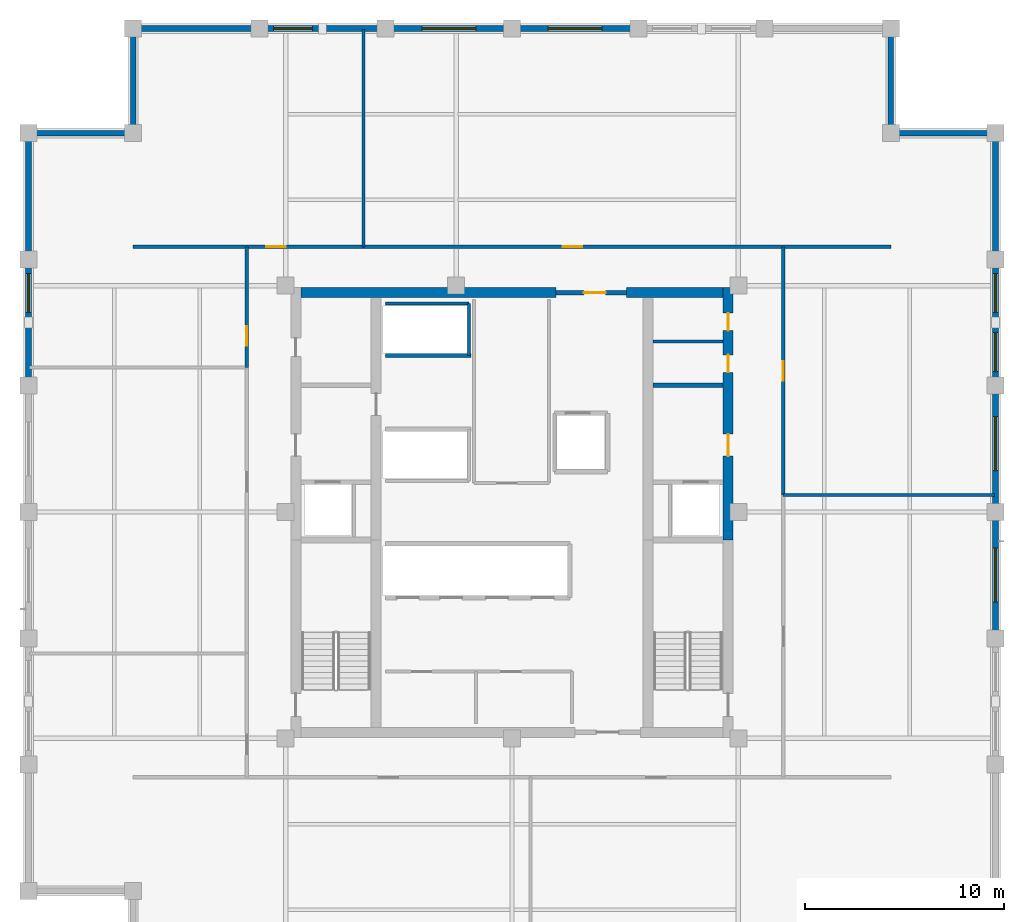
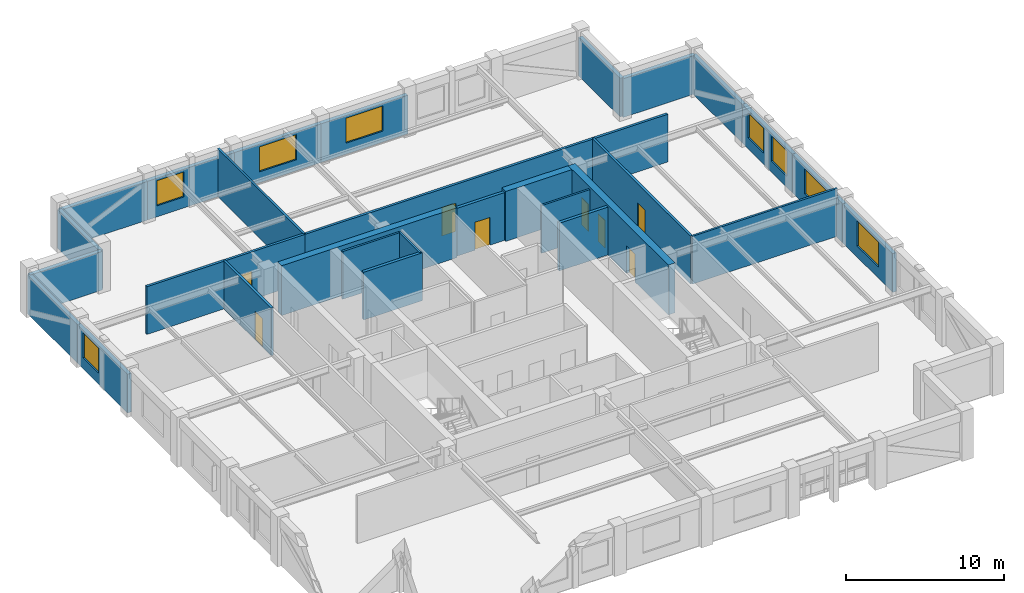
# One storey, part 11 of 13: 29 walls, 8 doors, 8 windows, 16 openings.
"""IFC4 building model written with IfcOpenShell, lengths in metres."""

from ifc_helpers import new_model, si_unit, direction, frame, frame_2d, origin, place, context, subcontext, project, spatial, rectangle, extrude, material, layer, layer_set, type_object, element, fill, save


model = new_model("IFC4")

# Units and contexts
model_context = context("Model", 3, precision=1e-05, world=origin(), true_north=direction((0.0, 1.0)))
body_context = subcontext(model_context, "Body", "Model", "MODEL_VIEW")
ifc_project = project(units=[si_unit("LENGTHUNIT", "METRE"), si_unit("AREAUNIT", "SQUARE_METRE"), si_unit("VOLUMEUNIT", "CUBIC_METRE"), si_unit("PLANEANGLEUNIT", "RADIAN"), si_unit("MASSUNIT", "GRAM", prefix="KILO")], contexts=[model_context])

# Site, building, storey
site_placement = place(None, origin())
site = spatial("IfcSite", under=ifc_project, at=site_placement, CompositionType="ELEMENT")
building_placement = place(site_placement, origin())
building = spatial("IfcBuilding", under=site, at=building_placement, Name="Nhamokura Convention Tower", CompositionType="ELEMENT")
storey_placement = place(building_placement, frame((0.0, 0.0, 213.85009765625)))
storey = spatial("IfcBuildingStorey", under=building, at=storey_placement, Name="L52", CompositionType="ELEMENT", Elevation=213.85009765625)

# Walls
ifc_material_1 = material(Name="Moisture-resistant tile-backer partition", Category="masonry")
ifc_layer_1 = layer(ifc_material_1, 0.139892578125)
ifc_layer_set_1 = layer_set([ifc_layer_1], Name="BathroomWetWall_140")
wall_type_1 = type_object("IfcWallType", Name="BathroomWetWall_140", PredefinedType="STANDARD", material=ifc_layer_set_1)
wall_1_placement = place(storey_placement, frame((39.06005859375, 40.550048828125, 0.0), z_axis=(0.0, 0.0, 1.0), x_axis=(1.0, 0.0, 0.0)))
element("IfcWall", 1, at=wall_1_placement, inside=storey, type_object=wall_type_1, Name="L52 Wall INT-L52-CWNE", PredefinedType="STANDARD", context=body_context, shape_type="SweptSolid", body=[
    extrude(rectangle(XDim=3.530029296875, YDim=0.139892578125, at=frame_2d((1.76513671875, 0.0))), origin(), (0.0, 0.0, 1.0), 3.684814453125),
])
ifc_material_2 = material(Name="Bronze-pigmented precast concrete C45/55", Category="concrete")
ifc_layer_2 = layer(ifc_material_2, 0.280029296875)
ifc_layer_set_2 = layer_set([ifc_layer_2], Name="BronzePrecastSpandrel_280")
wall_type_2 = type_object("IfcWallType", Name="BronzePrecastSpandrel_280", PredefinedType="USERDEFINED", material=ifc_layer_set_2)
wall_2_placement = place(storey_placement, frame((13.0, 56.25, 0.0), z_axis=(0.0, 0.0, 1.0), x_axis=(1.0, 0.0, 0.0)))
element("IfcWall", 2, at=wall_2_placement, inside=storey, type_object=wall_type_2, Name="L52 Braced-Bay Precast Wall NORTH 0", ObjectType="SPANDREL_WALL", PredefinedType="USERDEFINED", context=body_context, shape_type="SweptSolid", body=[
    extrude(rectangle(XDim=6.333251953125, YDim=0.280029296875, at=frame_2d((3.16650390625, 0.0))), origin(), (0.0, 0.0, 1.0), 2.98486328125),
])

# Wall, opening, window
wall_3_placement = place(storey_placement, frame((19.333251953125, 56.25, 0.0), z_axis=(0.0, 0.0, 1.0), x_axis=(1.0, 0.0, 0.0)))
wall_3 = element("IfcWall", 3, at=wall_3_placement, inside=storey, type_object=wall_type_2, Name="L52 Masonry-Frame Wall NORTH 1", ObjectType="SPANDREL_WALL", PredefinedType="USERDEFINED", context=body_context, shape_type="SweptSolid", body=[
    extrude(rectangle(XDim=6.33349609375, YDim=0.280029296875, at=frame_2d((3.166748046875, 0.0))), origin(), (0.0, 0.0, 1.0), 2.98486328125),
])
opening_1_placement = place(wall_3_placement, frame((0.708251953125, 0.0, 0.85009765625)))
opening_1 = element("IfcOpeningElement", 4, at=opening_1_placement, cuts=wall_3, Name="Opening W-08", PredefinedType="OPENING", context=body_context, shape_type="SweptSolid", body=[
    extrude(rectangle(XDim=1.949951171875, YDim=1.93505859375, at=frame_2d((0.97509765625, 0.967529296875))), frame((0.0, 0.14990234375, 0.0), z_axis=(0.0, -1.0, 0.0), x_axis=(1.0, 0.0, 0.0)), (0.0, 0.0, 1.0), 0.300048828125),
])
ifc_material_3 = material(Name="Solar-control bronze low-E double glass", Category="glass")
window_type_1 = type_object("IfcWindowType", Name="OfficeModuleWindow_Z3_1950", PartitioningType="SINGLE_PANEL", PredefinedType="WINDOW", material=ifc_material_3)
window_1_placement = place(opening_1_placement, origin())
window_1 = element("IfcWindow", 5, at=window_1_placement, inside=storey, type_object=window_type_1, Name="L52 Facade Window NORTH 1-1", OverallHeight=1.93505859375, OverallWidth=1.949951171875, PartitioningType="SINGLE_PANEL", PredefinedType="WINDOW", context=body_context, shape_type="SweptSolid", body=[
    extrude(rectangle(XDim=1.949951171875, YDim=1.93505859375, at=frame_2d((0.97509765625, 0.967529296875))), frame((0.0, 0.030029296875, 0.0), z_axis=(0.0, -1.0, 0.0), x_axis=(1.0, 0.0, 0.0)), (0.0, 0.0, 1.0), 0.06005859375),
])
fill(opening_1, window_1)

wall_4_placement = place(storey_placement, frame((25.666748046875, 56.25, 0.0), z_axis=(0.0, 0.0, 1.0), x_axis=(1.0, 0.0, 0.0)))
wall_4 = element("IfcWall", 6, at=wall_4_placement, inside=storey, type_object=wall_type_2, Name="L52 Masonry-Frame Wall NORTH 2", ObjectType="SPANDREL_WALL", PredefinedType="USERDEFINED", context=body_context, shape_type="SweptSolid", body=[
    extrude(rectangle(XDim=6.333251953125, YDim=0.280029296875, at=frame_2d((3.16650390625, 0.0))), origin(), (0.0, 0.0, 1.0), 2.98486328125),
])
opening_2_placement = place(wall_4_placement, frame((1.816650390625, 0.0, 0.85009765625)))
opening_2 = element("IfcOpeningElement", 7, at=opening_2_placement, cuts=wall_4, Name="Opening W-07", PredefinedType="OPENING", context=body_context, shape_type="SweptSolid", body=[
    extrude(rectangle(XDim=2.699951171875, YDim=1.93505859375, at=frame_2d((1.35009765625, 0.967529296875))), frame((0.0, 0.14990234375, 0.0), z_axis=(0.0, -1.0, 0.0), x_axis=(1.0, 0.0, 0.0)), (0.0, 0.0, 1.0), 0.300048828125),
])
ifc_material_4 = material(Name="Solar-control bronze low-E double glass", Category="glass")
window_type_2 = type_object("IfcWindowType", Name="OfficeModuleWindow_Z3_2700", PartitioningType="DOUBLE_PANEL_VERTICAL", PredefinedType="WINDOW", material=ifc_material_4)
window_2_placement = place(opening_2_placement, origin())
window_2 = element("IfcWindow", 8, at=window_2_placement, inside=storey, type_object=window_type_2, Name="L52 Facade Window NORTH 2", OverallHeight=1.93505859375, OverallWidth=2.699951171875, PartitioningType="SINGLE_PANEL", PredefinedType="WINDOW", context=body_context, shape_type="SweptSolid", body=[
    extrude(rectangle(XDim=2.699951171875, YDim=1.93505859375, at=frame_2d((1.35009765625, 0.967529296875))), frame((0.0, 0.030029296875, 0.0), z_axis=(0.0, -1.0, 0.0), x_axis=(1.0, 0.0, 0.0)), (0.0, 0.0, 1.0), 0.06005859375),
])
fill(opening_2, window_2)

wall_5_placement = place(storey_placement, frame((32.0, 56.25, 0.0), z_axis=(0.0, 0.0, 1.0), x_axis=(1.0, 0.0, 0.0)))
wall_5 = element("IfcWall", 9, at=wall_5_placement, inside=storey, type_object=wall_type_2, Name="L52 Masonry-Frame Wall NORTH 3", ObjectType="SPANDREL_WALL", PredefinedType="USERDEFINED", context=body_context, shape_type="SweptSolid", body=[
    extrude(rectangle(XDim=6.333251953125, YDim=0.280029296875, at=frame_2d((3.16650390625, 0.0))), origin(), (0.0, 0.0, 1.0), 2.98486328125),
])
opening_3_placement = place(wall_5_placement, frame((1.816650390625, 0.0, 0.85009765625)))
opening_3 = element("IfcOpeningElement", 10, at=opening_3_placement, cuts=wall_5, Name="Opening W-07", PredefinedType="OPENING", context=body_context, shape_type="SweptSolid", body=[
    extrude(rectangle(XDim=2.699951171875, YDim=1.93505859375, at=frame_2d((1.35009765625, 0.967529296875))), frame((0.0, 0.14990234375, 0.0), z_axis=(0.0, -1.0, 0.0), x_axis=(1.0, 0.0, 0.0)), (0.0, 0.0, 1.0), 0.300048828125),
])
window_3_placement = place(opening_3_placement, origin())
window_3 = element("IfcWindow", 11, at=window_3_placement, inside=storey, type_object=window_type_2, Name="L52 Facade Window NORTH 3", OverallHeight=1.93505859375, OverallWidth=2.699951171875, PartitioningType="SINGLE_PANEL", PredefinedType="WINDOW", context=body_context, shape_type="SweptSolid", body=[
    extrude(rectangle(XDim=2.699951171875, YDim=1.93505859375, at=frame_2d((1.35009765625, 0.967529296875))), frame((0.0, 0.030029296875, 0.0), z_axis=(0.0, -1.0, 0.0), x_axis=(1.0, 0.0, 0.0)), (0.0, 0.0, 1.0), 0.06005859375),
])
fill(opening_3, window_3)

wall_6_placement = place(storey_placement, frame((7.75, 38.333251953125, 0.0), z_axis=(0.0, 0.0, 1.0), x_axis=(0.0, 1.0, 0.0)))
wall_6 = element("IfcWall", 12, at=wall_6_placement, inside=storey, type_object=wall_type_2, Name="L52 Masonry-Frame Wall WEST 4", ObjectType="SPANDREL_WALL", PredefinedType="USERDEFINED", context=body_context, shape_type="SweptSolid", body=[
    extrude(rectangle(XDim=6.33349609375, YDim=0.280029296875, at=frame_2d((3.166748046875, 0.0))), origin(), (0.0, 0.0, 1.0), 2.98486328125),
])
opening_4_placement = place(wall_6_placement, frame((3.675048828125, 0.0, 0.85009765625)))
opening_4 = element("IfcOpeningElement", 13, at=opening_4_placement, cuts=wall_6, Name="Opening W-08", PredefinedType="OPENING", context=body_context, shape_type="SweptSolid", body=[
    extrude(rectangle(XDim=1.949951171875, YDim=1.93505859375, at=frame_2d((0.97509765625, 0.967529296875))), frame((0.0, 0.14990234375, 0.0), z_axis=(0.0, -1.0, 0.0), x_axis=(1.0, 0.0, 0.0)), (0.0, 0.0, 1.0), 0.300048828125),
])
window_4_placement = place(opening_4_placement, origin())
window_4 = element("IfcWindow", 14, at=window_4_placement, inside=storey, type_object=window_type_1, Name="L52 Facade Window WEST 4-2", OverallHeight=1.93505859375, OverallWidth=1.949951171875, PartitioningType="SINGLE_PANEL", PredefinedType="WINDOW", context=body_context, shape_type="SweptSolid", body=[
    extrude(rectangle(XDim=1.949951171875, YDim=1.93505859375, at=frame_2d((0.97509765625, 0.967529296875))), frame((0.0, 0.030029296875, 0.0), z_axis=(0.0, -1.0, 0.0), x_axis=(1.0, 0.0, 0.0)), (0.0, 0.0, 1.0), 0.06005859375),
])
fill(opening_4, window_4)

# Wall
wall_7_placement = place(storey_placement, frame((7.75, 44.666748046875, 0.0), z_axis=(0.0, 0.0, 1.0), x_axis=(0.0, 1.0, 0.0)))
element("IfcWall", 15, at=wall_7_placement, inside=storey, type_object=wall_type_2, Name="L52 Braced-Bay Precast Wall WEST 5", ObjectType="SPANDREL_WALL", PredefinedType="USERDEFINED", context=body_context, shape_type="SweptSolid", body=[
    extrude(rectangle(XDim=6.333251953125, YDim=0.280029296875, at=frame_2d((3.16650390625, 0.0))), origin(), (0.0, 0.0, 1.0), 2.98486328125),
])

# Wall, opening, window
wall_8_placement = place(storey_placement, frame((56.25, 32.0, 0.0), z_axis=(0.0, 0.0, 1.0), x_axis=(0.0, -1.0, 0.0)))
wall_8 = element("IfcWall", 16, at=wall_8_placement, inside=storey, type_object=wall_type_2, Name="L52 Masonry-Frame Wall EAST 2", ObjectType="SPANDREL_WALL", PredefinedType="USERDEFINED", context=body_context, shape_type="SweptSolid", body=[
    extrude(rectangle(XDim=6.333251953125, YDim=0.280029296875, at=frame_2d((3.16650390625, 0.0))), origin(), (0.0, 0.0, 1.0), 2.98486328125),
])
opening_5_placement = place(wall_8_placement, frame((1.816650390625, 0.0, 0.85009765625)))
opening_5 = element("IfcOpeningElement", 17, at=opening_5_placement, cuts=wall_8, Name="Opening W-07", PredefinedType="OPENING", context=body_context, shape_type="SweptSolid", body=[
    extrude(rectangle(XDim=2.699951171875, YDim=1.93505859375, at=frame_2d((1.35009765625, 0.967529296875))), frame((0.0, 0.14990234375, 0.0), z_axis=(0.0, -1.0, 0.0), x_axis=(1.0, 0.0, 0.0)), (0.0, 0.0, 1.0), 0.300048828125),
])
window_5_placement = place(opening_5_placement, origin())
window_5 = element("IfcWindow", 18, at=window_5_placement, inside=storey, type_object=window_type_2, Name="L52 Facade Window EAST 2", OverallHeight=1.93505859375, OverallWidth=2.699951171875, PartitioningType="SINGLE_PANEL", PredefinedType="WINDOW", context=body_context, shape_type="SweptSolid", body=[
    extrude(rectangle(XDim=2.699951171875, YDim=1.93505859375, at=frame_2d((1.35009765625, 0.967529296875))), frame((0.0, 0.030029296875, 0.0), z_axis=(0.0, -1.0, 0.0), x_axis=(1.0, 0.0, 0.0)), (0.0, 0.0, 1.0), 0.06005859375),
])
fill(opening_5, window_5)

wall_9_placement = place(storey_placement, frame((56.25, 38.333251953125, 0.0), z_axis=(0.0, 0.0, 1.0), x_axis=(0.0, -1.0, 0.0)))
wall_9 = element("IfcWall", 19, at=wall_9_placement, inside=storey, type_object=wall_type_2, Name="L52 Masonry-Frame Wall EAST 3", ObjectType="SPANDREL_WALL", PredefinedType="USERDEFINED", context=body_context, shape_type="SweptSolid", body=[
    extrude(rectangle(XDim=6.333251953125, YDim=0.280029296875, at=frame_2d((3.16650390625, 0.0))), origin(), (0.0, 0.0, 1.0), 2.98486328125),
])
opening_6_placement = place(wall_9_placement, frame((1.55419921875, 0.0, 0.85009765625)))
opening_6 = element("IfcOpeningElement", 20, at=opening_6_placement, cuts=wall_9, Name="Opening W-07", PredefinedType="OPENING", context=body_context, shape_type="SweptSolid", body=[
    extrude(rectangle(XDim=2.699951171875, YDim=1.93505859375, at=frame_2d((1.35009765625, 0.967529296875))), frame((0.0, 0.14990234375, 0.0), z_axis=(0.0, -1.0, 0.0), x_axis=(1.0, 0.0, 0.0)), (0.0, 0.0, 1.0), 0.300048828125),
])
window_6_placement = place(opening_6_placement, origin())
window_6 = element("IfcWindow", 21, at=window_6_placement, inside=storey, type_object=window_type_2, Name="L52 Facade Window EAST 3", OverallHeight=1.93505859375, OverallWidth=2.699951171875, PartitioningType="SINGLE_PANEL", PredefinedType="WINDOW", context=body_context, shape_type="SweptSolid", body=[
    extrude(rectangle(XDim=2.699951171875, YDim=1.93505859375, at=frame_2d((1.35009765625, 0.967529296875))), frame((0.0, 0.030029296875, 0.0), z_axis=(0.0, -1.0, 0.0), x_axis=(1.0, 0.0, 0.0)), (0.0, 0.0, 1.0), 0.06005859375),
])
fill(opening_6, window_6)

# Wall, openings, windows
wall_10_placement = place(storey_placement, frame((56.25, 44.666748046875, 0.0), z_axis=(0.0, 0.0, 1.0), x_axis=(0.0, -1.0, 0.0)))
wall_10 = element("IfcWall", 22, at=wall_10_placement, inside=storey, type_object=wall_type_2, Name="L52 Masonry-Frame Wall EAST 4", ObjectType="SPANDREL_WALL", PredefinedType="USERDEFINED", context=body_context, shape_type="SweptSolid", body=[
    extrude(rectangle(XDim=6.33349609375, YDim=0.280029296875, at=frame_2d((3.166748046875, 0.0))), origin(), (0.0, 0.0, 1.0), 2.98486328125),
])
opening_7_placement = place(wall_10_placement, frame((0.708251953125, 0.0, 0.85009765625)))
opening_7 = element("IfcOpeningElement", 23, at=opening_7_placement, cuts=wall_10, Name="Opening W-08", PredefinedType="OPENING", context=body_context, shape_type="SweptSolid", body=[
    extrude(rectangle(XDim=1.949951171875, YDim=1.93505859375, at=frame_2d((0.97509765625, 0.967529296875))), frame((0.0, 0.14990234375, 0.0), z_axis=(0.0, -1.0, 0.0), x_axis=(1.0, 0.0, 0.0)), (0.0, 0.0, 1.0), 0.300048828125),
])
opening_8_placement = place(wall_10_placement, frame((3.675048828125, 0.0, 0.85009765625)))
opening_8 = element("IfcOpeningElement", 24, at=opening_8_placement, cuts=wall_10, Name="Opening W-08", PredefinedType="OPENING", context=body_context, shape_type="SweptSolid", body=[
    extrude(rectangle(XDim=1.949951171875, YDim=1.93505859375, at=frame_2d((0.97509765625, 0.967529296875))), frame((0.0, 0.14990234375, 0.0), z_axis=(0.0, -1.0, 0.0), x_axis=(1.0, 0.0, 0.0)), (0.0, 0.0, 1.0), 0.300048828125),
])
window_7_placement = place(opening_7_placement, origin())
window_7 = element("IfcWindow", 25, at=window_7_placement, inside=storey, type_object=window_type_1, Name="L52 Facade Window EAST 4-1", OverallHeight=1.93505859375, OverallWidth=1.949951171875, PartitioningType="SINGLE_PANEL", PredefinedType="WINDOW", context=body_context, shape_type="SweptSolid", body=[
    extrude(rectangle(XDim=1.949951171875, YDim=1.93505859375, at=frame_2d((0.97509765625, 0.967529296875))), frame((0.0, 0.030029296875, 0.0), z_axis=(0.0, -1.0, 0.0), x_axis=(1.0, 0.0, 0.0)), (0.0, 0.0, 1.0), 0.06005859375),
])
fill(opening_7, window_7)
window_8_placement = place(opening_8_placement, origin())
window_8 = element("IfcWindow", 26, at=window_8_placement, inside=storey, type_object=window_type_1, Name="L52 Facade Window EAST 4-2", OverallHeight=1.93505859375, OverallWidth=1.949951171875, PartitioningType="SINGLE_PANEL", PredefinedType="WINDOW", context=body_context, shape_type="SweptSolid", body=[
    extrude(rectangle(XDim=1.949951171875, YDim=1.93505859375, at=frame_2d((0.97509765625, 0.967529296875))), frame((0.0, 0.030029296875, 0.0), z_axis=(0.0, -1.0, 0.0), x_axis=(1.0, 0.0, 0.0)), (0.0, 0.0, 1.0), 0.06005859375),
])
fill(opening_8, window_8)

# Walls
wall_11_placement = place(storey_placement, frame((56.25, 51.0, 0.0), z_axis=(0.0, 0.0, 1.0), x_axis=(0.0, -1.0, 0.0)))
element("IfcWall", 27, at=wall_11_placement, inside=storey, type_object=wall_type_2, Name="L52 Braced-Bay Precast Wall EAST 5", ObjectType="SPANDREL_WALL", PredefinedType="USERDEFINED", context=body_context, shape_type="SweptSolid", body=[
    extrude(rectangle(XDim=6.333251953125, YDim=0.280029296875, at=frame_2d((3.16650390625, 0.0))), origin(), (0.0, 0.0, 1.0), 2.98486328125),
])
for number, where, z_axis, x_axis, name in (
    (28, (51.0, 51.0, 0.0), (0.0, 0.0, 1.0), (1.0, 0.0, 0.0), "L52 Notched Corner Wall NE1"),
    (29, (51.0, 56.25, 0.0), (0.0, 0.0, 1.0), (0.0, -1.0, 0.0), "L52 Notched Corner Wall NE2"),
    (30, (13.0, 51.0, 0.0), (0.0, 0.0, 1.0), (0.0, 1.0, 0.0), "L52 Notched Corner Wall NW1"),
    (31, (7.75, 51.0, 0.0), (0.0, 0.0, 1.0), (1.0, 0.0, 0.0), "L52 Notched Corner Wall NW2"),
):
    element("IfcWall", number, at=place(storey_placement, frame(where, z_axis=z_axis, x_axis=x_axis)), inside=storey, type_object=wall_type_2, Name=name, ObjectType="SPANDREL_WALL", PredefinedType="USERDEFINED", context=body_context, shape_type="SweptSolid", body=[
        extrude(rectangle(XDim=5.25, YDim=0.280029296875, at=frame_2d((2.625, 0.0))), origin(), (0.0, 0.0, 1.0), 2.98486328125),
    ])

# Wall, openings, doors
ifc_material_5 = material(Name="Concrete C60/75", Category="concrete")
ifc_layer_3 = layer(ifc_material_5, 0.5)
ifc_layer_set_3 = layer_set([ifc_layer_3], Name="CoreShearWall_500")
wall_type_3 = type_object("IfcWallType", Name="CoreShearWall_500", PredefinedType="SHEAR", material=ifc_layer_set_3)
wall_12_placement = place(storey_placement, frame((42.840087890625, 30.60009765625, 0.0), z_axis=(0.0, 0.0, 1.0), x_axis=(0.0, 1.0, 0.0)))
wall_12 = element("IfcWall", 32, at=wall_12_placement, inside=storey, type_object=wall_type_3, Name="L52 Core Shear Wall CW-EN", PredefinedType="SHEAR", context=body_context, shape_type="SweptSolid", body=[
    extrude(rectangle(XDim=12.64990234375, YDim=0.5, at=frame_2d((6.324951171875, 0.0))), origin(), (0.0, 0.0, 1.0), 3.849853515625),
])
opening_9_placement = place(wall_12_placement, frame((4.199951171875, 0.0, 0.0)))
opening_9 = element("IfcOpeningElement", 33, at=opening_9_placement, cuts=wall_12, Name="Opening D-05", PredefinedType="OPENING", context=body_context, shape_type="SweptSolid", body=[
    extrude(rectangle(XDim=1.10009765625, YDim=2.14990234375, at=frame_2d((0.550048828125, 1.074951171875))), frame((0.0, 0.260009765625, 0.0), z_axis=(0.0, -1.0, 0.0), x_axis=(1.0, 0.0, 0.0)), (0.0, 0.0, 1.0), 0.52001953125),
])
opening_10_placement = place(wall_12_placement, frame((8.39990234375, 0.0, 0.0)))
opening_10 = element("IfcOpeningElement", 34, at=opening_10_placement, cuts=wall_12, Name="Opening D-11", PredefinedType="OPENING", context=body_context, shape_type="SweptSolid", body=[
    extrude(rectangle(XDim=0.8798828125, YDim=2.10009765625, at=frame_2d((0.43994140625, 1.050048828125))), frame((0.0, 0.260009765625, 0.0), z_axis=(0.0, -1.0, 0.0), x_axis=(1.0, 0.0, 0.0)), (0.0, 0.0, 1.0), 0.52001953125),
])
opening_11_placement = place(wall_12_placement, frame((10.5, 0.0, 0.0)))
opening_11 = element("IfcOpeningElement", 35, at=opening_11_placement, cuts=wall_12, Name="Opening D-11", PredefinedType="OPENING", context=body_context, shape_type="SweptSolid", body=[
    extrude(rectangle(XDim=0.8798828125, YDim=2.10009765625, at=frame_2d((0.43994140625, 1.050048828125))), frame((0.0, 0.260009765625, 0.0), z_axis=(0.0, -1.0, 0.0), x_axis=(1.0, 0.0, 0.0)), (0.0, 0.0, 1.0), 0.52001953125),
])
ifc_material_6 = material(Name="Solid oak hardwood", Category="wood")
door_type_1 = type_object("IfcDoorType", Name="BathroomDoor_880", OperationType="NOTDEFINED", PredefinedType="DOOR", material=ifc_material_6)
door_1_placement = place(opening_10_placement, origin())
door_1 = element("IfcDoor", 36, at=door_1_placement, inside=storey, type_object=door_type_1, Name="L52 Core Door INT-L52-D-MWC", OperationType="SINGLE_SWING_RIGHT", OverallHeight=2.10009765625, OverallWidth=0.8798828125, PredefinedType="DOOR", context=body_context, shape_type="SweptSolid", body=[
    extrude(rectangle(XDim=0.8798828125, YDim=2.10009765625, at=frame_2d((0.43994140625, 1.050048828125))), frame((0.0, 0.02490234375, 0.0), z_axis=(0.0, -1.0, 0.0), x_axis=(1.0, 0.0, 0.0)), (0.0, 0.0, 1.0), 0.050048828125),
])
fill(opening_10, door_1)
door_2_placement = place(opening_11_placement, origin())
door_2 = element("IfcDoor", 37, at=door_2_placement, inside=storey, type_object=door_type_1, Name="L52 Core Door INT-L52-D-FWC", OperationType="SINGLE_SWING_LEFT", OverallHeight=2.10009765625, OverallWidth=0.8798828125, PredefinedType="DOOR", context=body_context, shape_type="SweptSolid", body=[
    extrude(rectangle(XDim=0.8798828125, YDim=2.10009765625, at=frame_2d((0.43994140625, 1.050048828125))), frame((0.0, 0.02490234375, 0.0), z_axis=(0.0, -1.0, 0.0), x_axis=(1.0, 0.0, 0.0)), (0.0, 0.0, 1.0), 0.050048828125),
])
fill(opening_11, door_2)
ifc_material_7 = material(Name="Fire-rated steel door", Category="steel")
door_type_2 = type_object("IfcDoorType", Name="FireLobbyDoor_1100", OperationType="NOTDEFINED", PredefinedType="DOOR", material=ifc_material_7)
door_3_placement = place(opening_9_placement, origin())
door_3 = element("IfcDoor", 38, at=door_3_placement, inside=storey, type_object=door_type_2, Name="L52 Core Door INT-L52-D-FFLE", OperationType="SINGLE_SWING_LEFT", OverallHeight=2.14990234375, OverallWidth=1.10009765625, PredefinedType="DOOR", context=body_context, shape_type="SweptSolid", body=[
    extrude(rectangle(XDim=1.10009765625, YDim=2.14990234375, at=frame_2d((0.550048828125, 1.074951171875))), frame((0.0, 0.02490234375, 0.0), z_axis=(0.0, -1.0, 0.0), x_axis=(1.0, 0.0, 0.0)), (0.0, 0.0, 1.0), 0.050048828125),
])
fill(opening_9, door_3)

# Walls
wall_13_placement = place(storey_placement, frame((21.409912109375, 43.0, 0.0), z_axis=(0.0, 0.0, 1.0), x_axis=(1.0, 0.0, 0.0)))
element("IfcWall", 39, at=wall_13_placement, inside=storey, type_object=wall_type_3, Name="L52 Core Shear Wall CW-N1", PredefinedType="SHEAR", context=body_context, shape_type="SweptSolid", body=[
    extrude(rectangle(XDim=12.7900390625, YDim=0.5, at=frame_2d((6.39501953125, 0.0))), origin(), (0.0, 0.0, 1.0), 3.849853515625),
])
wall_14_placement = place(storey_placement, frame((37.75, 43.0, 0.0), z_axis=(0.0, 0.0, 1.0), x_axis=(1.0, 0.0, 0.0)))
element("IfcWall", 40, at=wall_14_placement, inside=storey, type_object=wall_type_3, Name="L52 Core Shear Wall CW-N2", PredefinedType="SHEAR", context=body_context, shape_type="SweptSolid", body=[
    extrude(rectangle(XDim=4.840087890625, YDim=0.5, at=frame_2d((2.419921875, 0.0))), origin(), (0.0, 0.0, 1.0), 3.849853515625),
])

# Wall, opening, door
ifc_material_8 = material(Name="Fire-rated gypsum and masonry partition", Category="masonry")
ifc_layer_4 = layer(ifc_material_8, 0.179931640625)
ifc_layer_set_4 = layer_set([ifc_layer_4], Name="CorridorRatedWall_180")
wall_type_4 = type_object("IfcWallType", Name="CorridorRatedWall_180", PredefinedType="STANDARD", material=ifc_layer_set_4)
wall_15_placement = place(storey_placement, frame((13.0, 45.300048828125, 0.0), z_axis=(0.0, 0.0, 1.0), x_axis=(1.0, 0.0, 0.0)))
wall_15 = element("IfcWall", 41, at=wall_15_placement, inside=storey, type_object=wall_type_4, Name="L52 Wall INT-L52-CW-N00", PredefinedType="STANDARD", context=body_context, shape_type="SweptSolid", body=[
    extrude(rectangle(XDim=11.541748046875, YDim=0.179931640625, at=frame_2d((5.77099609375, 0.0))), origin(), (0.0, 0.0, 1.0), 3.684814453125),
])
opening_12_placement = place(wall_15_placement, frame((6.6708984375, 0.0, 0.0)))
opening_12 = element("IfcOpeningElement", 42, at=opening_12_placement, cuts=wall_15, Name="Opening D-08", PredefinedType="OPENING", context=body_context, shape_type="SweptSolid", body=[
    extrude(rectangle(XDim=0.97998046875, YDim=2.199951171875, at=frame_2d((0.489990234375, 1.10009765625))), frame((0.0, 0.099853515625, 0.0), z_axis=(0.0, -1.0, 0.0), x_axis=(1.0, 0.0, 0.0)), (0.0, 0.0, 1.0), 0.199951171875),
])
ifc_material_9 = material(Name="Solid oak hardwood", Category="wood")
door_type_3 = type_object("IfcDoorType", Name="OfficeEntryDoor_980", OperationType="NOTDEFINED", PredefinedType="DOOR", material=ifc_material_9)
door_4_placement = place(opening_12_placement, origin())
door_4 = element("IfcDoor", 43, at=door_4_placement, inside=storey, type_object=door_type_3, Name="L52 Exhibition Gallery N01 Door", OperationType="SINGLE_SWING_LEFT", OverallHeight=2.199951171875, OverallWidth=0.97998046875, PredefinedType="DOOR", context=body_context, shape_type="SweptSolid", body=[
    extrude(rectangle(XDim=0.97998046875, YDim=2.199951171875, at=frame_2d((0.489990234375, 1.10009765625))), frame((0.0, 0.02490234375, 0.0), z_axis=(0.0, -1.0, 0.0), x_axis=(1.0, 0.0, 0.0)), (0.0, 0.0, 1.0), 0.050048828125),
])
fill(opening_12, door_4)

wall_16_placement = place(storey_placement, frame((24.541748046875, 45.300048828125, 0.0), z_axis=(0.0, 0.0, 1.0), x_axis=(1.0, 0.0, 0.0)))
wall_16 = element("IfcWall", 44, at=wall_16_placement, inside=storey, type_object=wall_type_4, Name="L52 Wall INT-L52-CW-N01", PredefinedType="STANDARD", context=body_context, shape_type="SweptSolid", body=[
    extrude(rectangle(XDim=26.458251953125, YDim=0.179931640625, at=frame_2d((13.22900390625, 0.0))), origin(), (0.0, 0.0, 1.0), 3.684814453125),
])
opening_13_placement = place(wall_16_placement, frame((10.004150390625, 0.0, 0.0)))
opening_13 = element("IfcOpeningElement", 45, at=opening_13_placement, cuts=wall_16, Name="Opening D-08", PredefinedType="OPENING", context=body_context, shape_type="SweptSolid", body=[
    extrude(rectangle(XDim=0.97998046875, YDim=2.199951171875, at=frame_2d((0.489990234375, 1.10009765625))), frame((0.0, 0.099853515625, 0.0), z_axis=(0.0, -1.0, 0.0), x_axis=(1.0, 0.0, 0.0)), (0.0, 0.0, 1.0), 0.199951171875),
])
door_5_placement = place(opening_13_placement, origin())
door_5 = element("IfcDoor", 46, at=door_5_placement, inside=storey, type_object=door_type_3, Name="L52 Exhibition Gallery N02 Door", OperationType="SINGLE_SWING_RIGHT", OverallHeight=2.199951171875, OverallWidth=0.97998046875, PredefinedType="DOOR", context=body_context, shape_type="SweptSolid", body=[
    extrude(rectangle(XDim=0.97998046875, YDim=2.199951171875, at=frame_2d((0.489990234375, 1.10009765625))), frame((0.0, 0.02490234375, 0.0), z_axis=(0.0, -1.0, 0.0), x_axis=(1.0, 0.0, 0.0)), (0.0, 0.0, 1.0), 0.050048828125),
])
fill(opening_13, door_5)

wall_17_placement = place(storey_placement, frame((18.699951171875, 39.25830078125, 0.0), z_axis=(0.0, 0.0, 1.0), x_axis=(0.0, 1.0, 0.0)))
wall_17 = element("IfcWall", 47, at=wall_17_placement, inside=storey, type_object=wall_type_4, Name="L52 Wall INT-L52-CW-W02", PredefinedType="STANDARD", context=body_context, shape_type="SweptSolid", body=[
    extrude(rectangle(XDim=6.041748046875, YDim=0.179931640625, at=frame_2d((3.02099609375, 0.0))), origin(), (0.0, 0.0, 1.0), 3.684814453125),
])
opening_14_placement = place(wall_17_placement, frame((1.07080078125, 0.0, 0.0)))
opening_14 = element("IfcOpeningElement", 48, at=opening_14_placement, cuts=wall_17, Name="Opening D-08", PredefinedType="OPENING", context=body_context, shape_type="SweptSolid", body=[
    extrude(rectangle(XDim=0.97998046875, YDim=2.199951171875, at=frame_2d((0.489990234375, 1.10009765625))), frame((0.0, 0.099853515625, 0.0), z_axis=(0.0, -1.0, 0.0), x_axis=(1.0, 0.0, 0.0)), (0.0, 0.0, 1.0), 0.199951171875),
])
door_6_placement = place(opening_14_placement, origin())
door_6 = element("IfcDoor", 49, at=door_6_placement, inside=storey, type_object=door_type_3, Name="L52 Materials Library W03 Door", OperationType="SINGLE_SWING_LEFT", OverallHeight=2.199951171875, OverallWidth=0.97998046875, PredefinedType="DOOR", context=body_context, shape_type="SweptSolid", body=[
    extrude(rectangle(XDim=0.97998046875, YDim=2.199951171875, at=frame_2d((0.489990234375, 1.10009765625))), frame((0.0, 0.02490234375, 0.0), z_axis=(0.0, -1.0, 0.0), x_axis=(1.0, 0.0, 0.0)), (0.0, 0.0, 1.0), 0.050048828125),
])
fill(opening_14, door_6)

wall_18_placement = place(storey_placement, frame((45.60009765625, 32.85009765625, 0.0), z_axis=(0.0, 0.0, 1.0), x_axis=(0.0, 1.0, 0.0)))
wall_18 = element("IfcWall", 50, at=wall_18_placement, inside=storey, type_object=wall_type_4, Name="L52 Wall INT-L52-CW-E01", PredefinedType="STANDARD", context=body_context, shape_type="SweptSolid", body=[
    extrude(rectangle(XDim=12.449951171875, YDim=0.179931640625, at=frame_2d((6.22509765625, 0.0))), origin(), (0.0, 0.0, 1.0), 3.684814453125),
])
opening_15_placement = place(wall_18_placement, frame((5.72509765625, 0.0, 0.0)))
opening_15 = element("IfcOpeningElement", 51, at=opening_15_placement, cuts=wall_18, Name="Opening D-08", PredefinedType="OPENING", context=body_context, shape_type="SweptSolid", body=[
    extrude(rectangle(XDim=0.97998046875, YDim=2.199951171875, at=frame_2d((0.489990234375, 1.10009765625))), frame((0.0, 0.099853515625, 0.0), z_axis=(0.0, -1.0, 0.0), x_axis=(1.0, 0.0, 0.0)), (0.0, 0.0, 1.0), 0.199951171875),
])
door_7_placement = place(opening_15_placement, origin())
door_7 = element("IfcDoor", 52, at=door_7_placement, inside=storey, type_object=door_type_3, Name="L52 Collaboration Lounge E02 Door", OperationType="SINGLE_SWING_RIGHT", OverallHeight=2.199951171875, OverallWidth=0.97998046875, PredefinedType="DOOR", context=body_context, shape_type="SweptSolid", body=[
    extrude(rectangle(XDim=0.97998046875, YDim=2.199951171875, at=frame_2d((0.489990234375, 1.10009765625))), frame((0.0, 0.02490234375, 0.0), z_axis=(0.0, -1.0, 0.0), x_axis=(1.0, 0.0, 0.0)), (0.0, 0.0, 1.0), 0.050048828125),
])
fill(opening_15, door_7)

# Walls
ifc_material_10 = material(Name="Autoclaved concrete blockwork", Category="masonry")
ifc_layer_5 = layer(ifc_material_10, 0.219970703125)
ifc_layer_set_5 = layer_set([ifc_layer_5], Name="FireLobbyWall_220")
wall_type_5 = type_object("IfcWallType", Name="FireLobbyWall_220", PredefinedType="STANDARD", material=ifc_layer_set_5)
wall_19_placement = place(storey_placement, frame((39.06005859375, 38.35009765625, 0.0), z_axis=(0.0, 0.0, 1.0), x_axis=(1.0, 0.0, 0.0)))
element("IfcWall", 53, at=wall_19_placement, inside=storey, type_object=wall_type_5, Name="L52 Wall INT-L52-FFE-N", PredefinedType="STANDARD", context=body_context, shape_type="SweptSolid", body=[
    extrude(rectangle(XDim=3.530029296875, YDim=0.219970703125, at=frame_2d((1.76513671875, 0.0))), origin(), (0.0, 0.0, 1.0), 3.684814453125),
])
wall_20_placement = place(storey_placement, frame((25.64990234375, 39.85009765625, 0.0), z_axis=(0.0, 0.0, 1.0), x_axis=(1.0, 0.0, 0.0)))
element("IfcWall", 54, at=wall_20_placement, inside=storey, type_object=wall_type_5, Name="L52 Wall INT-L52-B3N", PredefinedType="STANDARD", context=body_context, shape_type="SweptSolid", body=[
    extrude(rectangle(XDim=4.300048828125, YDim=0.219970703125, at=frame_2d((2.14990234375, 0.0))), origin(), (0.0, 0.0, 1.0), 3.684814453125),
])

# Wall, opening, door
wall_21_placement = place(storey_placement, frame((34.199951171875, 43.0, 0.0), z_axis=(0.0, 0.0, 1.0), x_axis=(1.0, 0.0, 0.0)))
wall_21 = element("IfcWall", 55, at=wall_21_placement, inside=storey, type_object=wall_type_5, Name="L52 Wall INT-L52-CPORT-N", PredefinedType="STANDARD", context=body_context, shape_type="SweptSolid", body=[
    extrude(rectangle(XDim=3.550048828125, YDim=0.219970703125, at=frame_2d((1.77490234375, 0.0))), origin(), (0.0, 0.0, 1.0), 3.684814453125),
])
opening_16_placement = place(wall_21_placement, frame((1.39990234375, 0.0, 0.0)))
opening_16 = element("IfcOpeningElement", 56, at=opening_16_placement, cuts=wall_21, Name="Opening D-05", PredefinedType="OPENING", context=body_context, shape_type="SweptSolid", body=[
    extrude(rectangle(XDim=1.10009765625, YDim=2.14990234375, at=frame_2d((0.550048828125, 1.074951171875))), frame((0.0, 0.119873046875, 0.0), z_axis=(0.0, -1.0, 0.0), x_axis=(1.0, 0.0, 0.0)), (0.0, 0.0, 1.0), 0.239990234375),
])
door_8_placement = place(opening_16_placement, origin())
door_8 = element("IfcDoor", 57, at=door_8_placement, inside=storey, type_object=door_type_2, Name="L52 North Core Lobby Portal Door", OperationType="SINGLE_SWING_RIGHT", OverallHeight=2.14990234375, OverallWidth=1.10009765625, PredefinedType="DOOR", context=body_context, shape_type="SweptSolid", body=[
    extrude(rectangle(XDim=1.10009765625, YDim=2.14990234375, at=frame_2d((0.550048828125, 1.074951171875))), frame((0.0, 0.02490234375, 0.0), z_axis=(0.0, -1.0, 0.0), x_axis=(1.0, 0.0, 0.0)), (0.0, 0.0, 1.0), 0.050048828125),
])
fill(opening_16, door_8)

# Walls
ifc_material_11 = material(Name="Acoustic gypsum stud partition", Category="masonry")
ifc_layer_6 = layer(ifc_material_11, 0.14990234375)
ifc_layer_set_6 = layer_set([ifc_layer_6], Name="InteriorPartition_150")
wall_type_6 = type_object("IfcWallType", Name="InteriorPartition_150", PredefinedType="STANDARD", material=ifc_layer_set_6)
wall_22_placement = place(storey_placement, frame((25.64990234375, 42.449951171875, 0.0), z_axis=(0.0, 0.0, 1.0), x_axis=(1.0, 0.0, 0.0)))
element("IfcWall", 58, at=wall_22_placement, inside=storey, type_object=wall_type_6, Name="L52 Wall INT-L52-B3B-N", PredefinedType="STANDARD", context=body_context, shape_type="SweptSolid", body=[
    extrude(rectangle(XDim=4.2001953125, YDim=0.14990234375, at=frame_2d((2.10009765625, 0.0))), origin(), (0.0, 0.0, 1.0), 3.684814453125),
])
wall_23_placement = place(storey_placement, frame((29.85009765625, 39.85009765625, 0.0), z_axis=(0.0, 0.0, 1.0), x_axis=(0.0, 1.0, 0.0)))
element("IfcWall", 59, at=wall_23_placement, inside=storey, type_object=wall_type_6, Name="L52 Wall INT-L52-B3B-E", PredefinedType="STANDARD", context=body_context, shape_type="SweptSolid", body=[
    extrude(rectangle(XDim=2.599853515625, YDim=0.14990234375, at=frame_2d((1.2998046875, 0.0))), origin(), (0.0, 0.0, 1.0), 3.684814453125),
])
wall_24_placement = place(storey_placement, frame((24.541748046875, 45.300048828125, 0.0), z_axis=(0.0, 0.0, 1.0), x_axis=(0.0, 1.0, 0.0)))
element("IfcWall", 60, at=wall_24_placement, inside=storey, type_object=wall_type_6, Name="L52 Wall INT-L52-RW-N01", PredefinedType="STANDARD", context=body_context, shape_type="SweptSolid", body=[
    extrude(rectangle(XDim=10.889892578125, YDim=0.14990234375, at=frame_2d((5.44482421875, 0.0))), origin(), (0.0, 0.0, 1.0), 3.684814453125),
])
wall_25_placement = place(storey_placement, frame((45.60009765625, 32.85009765625, 0.0), z_axis=(0.0, 0.0, 1.0), x_axis=(1.0, 0.0, 0.0)))
element("IfcWall", 61, at=wall_25_placement, inside=storey, type_object=wall_type_6, Name="L52 Wall INT-L52-RW-E01", PredefinedType="STANDARD", context=body_context, shape_type="SweptSolid", body=[
    extrude(rectangle(XDim=10.58984375, YDim=0.14990234375, at=frame_2d((5.294921875, 0.0))), origin(), (0.0, 0.0, 1.0), 3.684814453125),
])

save(model, "model.ifc")
